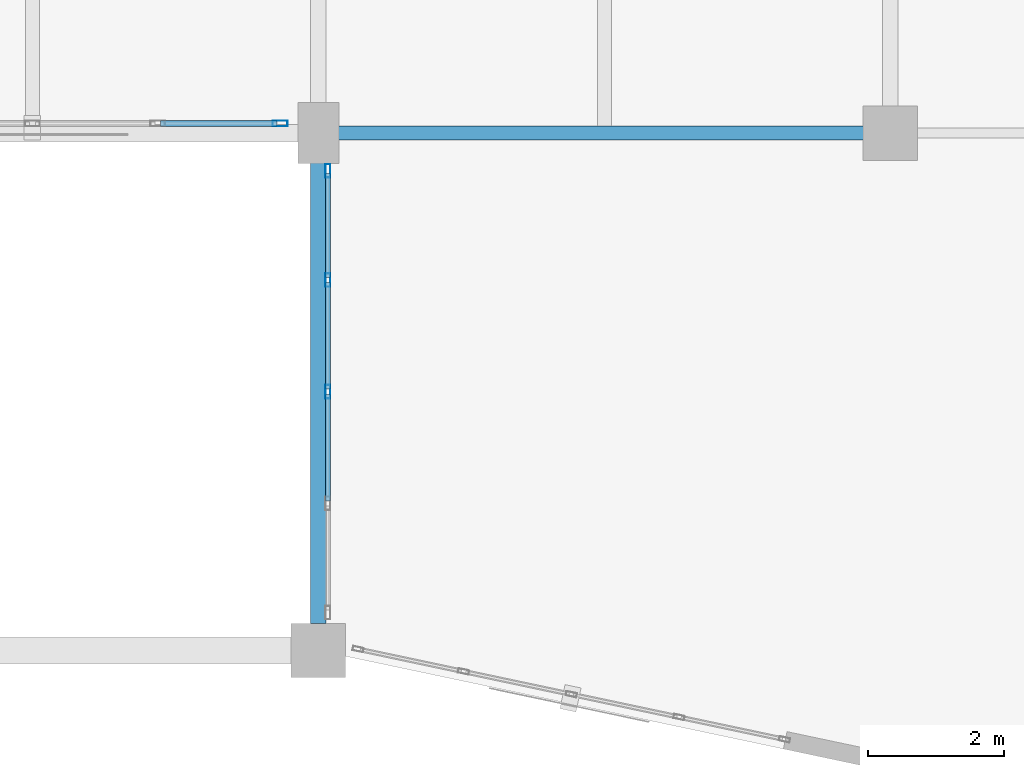
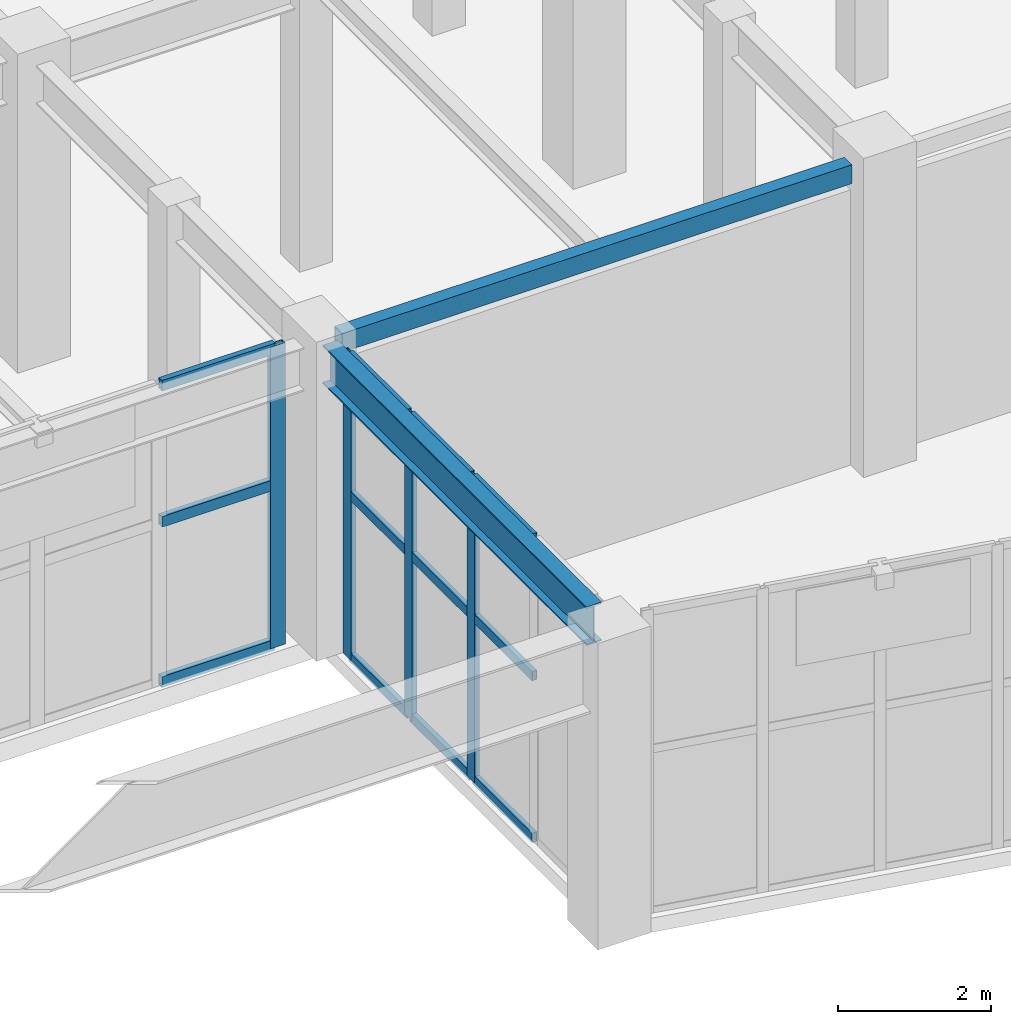
# One storey, part 14 of 128: 16 members, 2 beams, 2 elements without a shape of their own.
"""IFC4 building model written with IfcOpenShell, lengths in metres."""

from ifc_helpers import new_model, si_unit, direction, frame, origin, origin_2d, place, context, subcontext, project, spatial, hollow_rectangle, i_section, extrude, material, layer, layer_set, material_profile, profile_set, type_object, element, aggregate, save


model = new_model("IFC4")

# Units and contexts
model_context = context("Model", 3, precision=1e-05, world=origin(), true_north=direction((0.0, 1.0)))
body_context = subcontext(model_context, "Body", "Model", "MODEL_VIEW")
ifc_project = project(units=[si_unit("LENGTHUNIT", "METRE"), si_unit("AREAUNIT", "SQUARE_METRE"), si_unit("VOLUMEUNIT", "CUBIC_METRE"), si_unit("PLANEANGLEUNIT", "RADIAN"), si_unit("MASSUNIT", "GRAM", prefix="KILO")], contexts=[model_context])

# Site, building, storey
site_placement = place(None, origin())
site = spatial("IfcSite", under=ifc_project, at=site_placement, CompositionType="ELEMENT")
building_placement = place(site_placement, origin())
building = spatial("IfcBuilding", under=site, at=building_placement, Name="Xicomal Pleat Aquarium", CompositionType="ELEMENT")
storey_placement = place(building_placement, frame((0.0, 0.0, 5.39990234375)))
storey = spatial("IfcBuildingStorey", under=building, at=storey_placement, Name="L02", CompositionType="ELEMENT", Elevation=5.39990234375)

# Beams
ifc_material_1 = material(Name="Structural steel A992 Gr 50", Category="steel")
ifc_material_profile_1 = material_profile(ifc_material_1, i_section(OverallWidth=0.22998046875, OverallDepth=0.616943359375, WebThickness=0.01318359375, FlangeThickness=0.022216796875, at=origin_2d()), Name="IR 610x140")
ifc_profile_set_1 = profile_set([ifc_material_profile_1], Name="Structural steel A992 Gr 50")
beam_type_1 = type_object("IfcBeamType", Name="BM-STL-IR610", PredefinedType="BEAM", material=ifc_profile_set_1)
beam_1_placement = place(storey_placement, frame((52.199951171875, 23.195068359375, 4.591552734375), z_axis=(0.0, 1.0, 0.0), x_axis=(-1.0, 0.0, 0.0)))
element("IfcBeam", 1, at=beam_1_placement, inside=storey, type_object=beam_type_1, Name="L02 framing beam FGY-L02-07-D-E", PredefinedType="BEAM", context=body_context, shape_type="SweptSolid", body=[
    extrude(i_section(OverallWidth=0.22998046875, OverallDepth=0.616943359375, WebThickness=0.01318359375, FlangeThickness=0.022216796875, at=origin_2d()), origin(), (0.0, 0.0, 1.0), 6.909912109375),
])
ifc_material_2 = material(Name="Structural steel A500 Gr C", Category="steel")
ifc_material_profile_2 = material_profile(ifc_material_2, hollow_rectangle(XDim=0.199951171875, YDim=0.300048828125, WallThickness=0.011962890625, at=origin_2d()), Name="OR 300x200x12")
ifc_profile_set_2 = profile_set([ifc_material_profile_2], Name="Structural steel A500 Gr C")
beam_type_2 = type_object("IfcBeamType", Name="BM-STL-OR300", PredefinedType="SPANDREL", material=ifc_profile_set_2)
beam_2_placement = place(storey_placement, frame((52.4951171875, 30.39990234375, 4.670166015625), z_axis=(1.0, 0.0, 0.0), x_axis=(0.0, 1.0, 0.0)))
element("IfcBeam", 2, at=beam_2_placement, inside=storey, type_object=beam_type_2, Name="L02 framing beam FGX-L02-07-08-E", PredefinedType="SPANDREL", context=body_context, shape_type="SweptSolid", body=[
    extrude(hollow_rectangle(XDim=0.199951171875, YDim=0.300048828125, WallThickness=0.011962890625, at=origin_2d()), origin(), (0.0, 0.0, 1.0), 7.7099609375),
])

# Curtain wall, members
ifc_material_3 = material(Name="Bronze anodized aluminium 6063-T6", Category="aluminium")
ifc_layer_1 = layer(ifc_material_3, 0.159912109375)
ifc_layer_set_1 = layer_set([ifc_layer_1], Name="Bronze anodized aluminium 6063-T6")
curtain_wall_type_1 = type_object("IfcCurtainWallType", Name="CW-SYS-07", PredefinedType="NOTDEFINED", material=ifc_layer_set_1)
curtain_wall_1_placement = place(storey_placement, origin())
curtain_wall_1 = element("IfcCurtainWall", 3, at=curtain_wall_1_placement, inside=storey, type_object=curtain_wall_type_1, Name="L02 unitised curtain wall CW-L02-094", PredefinedType="NOTDEFINED")
ifc_material_4 = material(Name="Bronze anodized aluminium 6063-T6", Category="aluminium")
ifc_material_profile_3 = material_profile(ifc_material_4, hollow_rectangle(XDim=0.074951171875, YDim=0.199951171875, WallThickness=0.00439453125, at=origin_2d()), Name="ALU MULL 75x200")
ifc_profile_set_3 = profile_set([ifc_material_profile_3], Name="Bronze anodized aluminium 6063-T6")
member_type_1 = type_object("IfcMemberType", Name="CWM-75x200", PredefinedType="MULLION", material=ifc_profile_set_3)
member_1_placement = place(storey_placement, frame((52.340087890625, 26.60009765625, 0.0), z_axis=(0.0, 0.0, 1.0), x_axis=(-1.0, 0.0, 0.0)))
member_1 = element("IfcMember", 4, at=member_1_placement, type_object=member_type_1, Name="CW-07 mullion 3", PredefinedType="MULLION", context=body_context, shape_type="SweptSolid", body=[
    extrude(hollow_rectangle(XDim=0.074951171875, YDim=0.199951171875, WallThickness=0.00439453125, at=origin_2d()), origin(), (0.0, 0.0, 1.0), 4.860107421875),
])
member_2_placement = place(storey_placement, frame((52.340087890625, 28.239990234375, 0.0), z_axis=(0.0, 0.0, 1.0), x_axis=(-1.0, 0.0, 0.0)))
member_2 = element("IfcMember", 5, at=member_2_placement, type_object=member_type_1, Name="CW-07 mullion 4", PredefinedType="MULLION", context=body_context, shape_type="SweptSolid", body=[
    extrude(hollow_rectangle(XDim=0.074951171875, YDim=0.199951171875, WallThickness=0.00439453125, at=origin_2d()), origin(), (0.0, 0.0, 1.0), 4.860107421875),
])
member_3_placement = place(storey_placement, frame((52.340087890625, 29.842529296875, 0.0), z_axis=(0.0, 0.0, 1.0), x_axis=(-1.0, 0.0, 0.0)))
member_3 = element("IfcMember", 6, at=member_3_placement, type_object=member_type_1, Name="CW-07 mullion 5", PredefinedType="MULLION", context=body_context, shape_type="SweptSolid", body=[
    extrude(hollow_rectangle(XDim=0.074951171875, YDim=0.199951171875, WallThickness=0.00439453125, at=origin_2d()), origin(), (0.0, 0.0, 1.0), 4.860107421875),
])

# Curtain wall, member
ifc_material_5 = material(Name="Bronze anodized aluminium 6063-T6", Category="aluminium")
ifc_layer_2 = layer(ifc_material_5, 0.159912109375)
ifc_layer_set_2 = layer_set([ifc_layer_2], Name="Bronze anodized aluminium 6063-T6")
curtain_wall_type_2 = type_object("IfcCurtainWallType", Name="CW-SYS-12", PredefinedType="NOTDEFINED", material=ifc_layer_set_2)
curtain_wall_2_placement = place(storey_placement, origin())
curtain_wall_2 = element("IfcCurtainWall", 7, at=curtain_wall_2_placement, inside=storey, type_object=curtain_wall_type_2, Name="L02 unitised curtain wall CW-L02-095", PredefinedType="NOTDEFINED")
ifc_material_6 = material(Name="Bronze anodized aluminium 6063-T6", Category="aluminium")
ifc_material_profile_4 = material_profile(ifc_material_6, hollow_rectangle(XDim=0.0849609375, YDim=0.219970703125, WallThickness=0.0048828125, at=origin_2d()), Name="ALU MULL 85x220")
ifc_profile_set_4 = profile_set([ifc_material_profile_4], Name="Bronze anodized aluminium 6063-T6")
member_type_2 = type_object("IfcMemberType", Name="CWM-85x220", PredefinedType="MULLION", material=ifc_profile_set_4)
member_4_placement = place(storey_placement, frame((51.637451171875, 30.5400390625, 0.0), z_axis=(0.0, 0.0, 1.0), x_axis=(0.0, -1.0, 0.0)))
member_4 = element("IfcMember", 8, at=member_4_placement, type_object=member_type_2, Name="CW-12 mullion 1", PredefinedType="MULLION", context=body_context, shape_type="SweptSolid", body=[
    extrude(hollow_rectangle(XDim=0.0849609375, YDim=0.219970703125, WallThickness=0.0048828125, at=origin_2d()), origin(), (0.0, 0.0, 1.0), 4.820068359375),
])

# Member
ifc_material_7 = material(Name="Bronze anodized aluminium 6063-T6", Category="aluminium")
ifc_material_profile_5 = material_profile(ifc_material_7, hollow_rectangle(XDim=0.074951171875, YDim=0.14990234375, WallThickness=0.00439453125, at=origin_2d()), Name="ALU TRAN 75x150")
ifc_profile_set_5 = profile_set([ifc_material_profile_5], Name="Bronze anodized aluminium 6063-T6")
member_type_3 = type_object("IfcMemberType", Name="CWT-75x150", PredefinedType="USERDEFINED", material=ifc_profile_set_5)
member_5_placement = place(storey_placement, frame((52.340087890625, 24.99755859375, 0.03759765625), z_axis=(0.0, 1.0, 0.0), x_axis=(-1.0, 0.0, 0.0)))
member_5 = element("IfcMember", 9, at=member_5_placement, type_object=member_type_3, Name="CW-07 transom 2.1", ObjectType="TRANSOM", PredefinedType="USERDEFINED", context=body_context, shape_type="SweptSolid", body=[
    extrude(hollow_rectangle(XDim=0.074951171875, YDim=0.14990234375, WallThickness=0.00439453125, at=origin_2d()), origin(), (0.0, 0.0, 1.0), 1.56494140625),
])

member_6_placement = place(storey_placement, frame((52.340087890625, 24.99755859375, 2.6240234375), z_axis=(0.0, 1.0, 0.0), x_axis=(-1.0, 0.0, 0.0)))
member_6 = element("IfcMember", 10, at=member_6_placement, type_object=member_type_3, Name="CW-07 transom 2.2", ObjectType="TRANSOM", PredefinedType="USERDEFINED", context=body_context, shape_type="SweptSolid", body=[
    extrude(hollow_rectangle(XDim=0.074951171875, YDim=0.14990234375, WallThickness=0.00439453125, at=origin_2d()), origin(), (0.0, 0.0, 1.0), 1.56494140625),
])

member_7_placement = place(storey_placement, frame((52.340087890625, 24.99755859375, 4.822509765625), z_axis=(0.0, 1.0, 0.0), x_axis=(-1.0, 0.0, 0.0)))
member_7 = element("IfcMember", 11, at=member_7_placement, type_object=member_type_3, Name="CW-07 transom 2.3", ObjectType="TRANSOM", PredefinedType="USERDEFINED", context=body_context, shape_type="SweptSolid", body=[
    extrude(hollow_rectangle(XDim=0.074951171875, YDim=0.14990234375, WallThickness=0.00439453125, at=origin_2d()), origin(), (0.0, 0.0, 1.0), 1.56494140625),
])

member_8_placement = place(storey_placement, frame((52.340087890625, 26.637451171875, 0.03759765625), z_axis=(0.0, 1.0, 0.0), x_axis=(-1.0, 0.0, 0.0)))
member_8 = element("IfcMember", 12, at=member_8_placement, type_object=member_type_3, Name="CW-07 transom 3.1", ObjectType="TRANSOM", PredefinedType="USERDEFINED", context=body_context, shape_type="SweptSolid", body=[
    extrude(hollow_rectangle(XDim=0.074951171875, YDim=0.14990234375, WallThickness=0.00439453125, at=origin_2d()), origin(), (0.0, 0.0, 1.0), 1.56494140625),
])

member_9_placement = place(storey_placement, frame((52.340087890625, 26.637451171875, 2.6240234375), z_axis=(0.0, 1.0, 0.0), x_axis=(-1.0, 0.0, 0.0)))
member_9 = element("IfcMember", 13, at=member_9_placement, type_object=member_type_3, Name="CW-07 transom 3.2", ObjectType="TRANSOM", PredefinedType="USERDEFINED", context=body_context, shape_type="SweptSolid", body=[
    extrude(hollow_rectangle(XDim=0.074951171875, YDim=0.14990234375, WallThickness=0.00439453125, at=origin_2d()), origin(), (0.0, 0.0, 1.0), 1.56494140625),
])

member_10_placement = place(storey_placement, frame((52.340087890625, 26.637451171875, 4.822509765625), z_axis=(0.0, 1.0, 0.0), x_axis=(-1.0, 0.0, 0.0)))
member_10 = element("IfcMember", 14, at=member_10_placement, type_object=member_type_3, Name="CW-07 transom 3.3", ObjectType="TRANSOM", PredefinedType="USERDEFINED", context=body_context, shape_type="SweptSolid", body=[
    extrude(hollow_rectangle(XDim=0.074951171875, YDim=0.14990234375, WallThickness=0.00439453125, at=origin_2d()), origin(), (0.0, 0.0, 1.0), 1.56494140625),
])

member_11_placement = place(storey_placement, frame((52.340087890625, 28.277587890625, 0.03759765625), z_axis=(0.0, 1.0, 0.0), x_axis=(-1.0, 0.0, 0.0)))
member_11 = element("IfcMember", 15, at=member_11_placement, type_object=member_type_3, Name="CW-07 transom 4.1", ObjectType="TRANSOM", PredefinedType="USERDEFINED", context=body_context, shape_type="SweptSolid", body=[
    extrude(hollow_rectangle(XDim=0.074951171875, YDim=0.14990234375, WallThickness=0.00439453125, at=origin_2d()), origin(), (0.0, 0.0, 1.0), 1.52734375),
])

member_12_placement = place(storey_placement, frame((52.340087890625, 28.277587890625, 2.6240234375), z_axis=(0.0, 1.0, 0.0), x_axis=(-1.0, 0.0, 0.0)))
member_12 = element("IfcMember", 16, at=member_12_placement, type_object=member_type_3, Name="CW-07 transom 4.2", ObjectType="TRANSOM", PredefinedType="USERDEFINED", context=body_context, shape_type="SweptSolid", body=[
    extrude(hollow_rectangle(XDim=0.074951171875, YDim=0.14990234375, WallThickness=0.00439453125, at=origin_2d()), origin(), (0.0, 0.0, 1.0), 1.52734375),
])

member_13_placement = place(storey_placement, frame((52.340087890625, 28.277587890625, 4.822509765625), z_axis=(0.0, 1.0, 0.0), x_axis=(-1.0, 0.0, 0.0)))
member_13 = element("IfcMember", 17, at=member_13_placement, type_object=member_type_3, Name="CW-07 transom 4.3", ObjectType="TRANSOM", PredefinedType="USERDEFINED", context=body_context, shape_type="SweptSolid", body=[
    extrude(hollow_rectangle(XDim=0.074951171875, YDim=0.14990234375, WallThickness=0.00439453125, at=origin_2d()), origin(), (0.0, 0.0, 1.0), 1.52734375),
])

aggregate(curtain_wall_1, [member_1, member_2, member_3, member_5, member_6, member_7, member_8, member_9, member_10, member_11, member_12, member_13])

ifc_material_8 = material(Name="Bronze anodized aluminium 6063-T6", Category="aluminium")
ifc_material_profile_6 = material_profile(ifc_material_8, hollow_rectangle(XDim=0.0849609375, YDim=0.169921875, WallThickness=0.0048828125, at=origin_2d()), Name="ALU TRAN 85x170")
ifc_profile_set_6 = profile_set([ifc_material_profile_6], Name="Bronze anodized aluminium 6063-T6")
member_type_4 = type_object("IfcMemberType", Name="CWT-85x170", PredefinedType="USERDEFINED", material=ifc_profile_set_6)
member_14_placement = place(storey_placement, frame((51.594970703125, 30.5400390625, 0.04248046875), z_axis=(-1.0, 0.0, 0.0), x_axis=(0.0, -1.0, 0.0)))
member_14 = element("IfcMember", 18, at=member_14_placement, type_object=member_type_4, Name="CW-12 transom 1.1", ObjectType="TRANSOM", PredefinedType="USERDEFINED", context=body_context, shape_type="SweptSolid", body=[
    extrude(hollow_rectangle(XDim=0.0849609375, YDim=0.169921875, WallThickness=0.0048828125, at=origin_2d()), origin(), (0.0, 0.0, 1.0), 1.71240234375),
])

member_15_placement = place(storey_placement, frame((51.594970703125, 30.5400390625, 2.60302734375), z_axis=(-1.0, 0.0, 0.0), x_axis=(0.0, -1.0, 0.0)))
member_15 = element("IfcMember", 19, at=member_15_placement, type_object=member_type_4, Name="CW-12 transom 1.2", ObjectType="TRANSOM", PredefinedType="USERDEFINED", context=body_context, shape_type="SweptSolid", body=[
    extrude(hollow_rectangle(XDim=0.0849609375, YDim=0.169921875, WallThickness=0.0048828125, at=origin_2d()), origin(), (0.0, 0.0, 1.0), 1.71240234375),
])

member_16_placement = place(storey_placement, frame((51.594970703125, 30.5400390625, 4.777587890625), z_axis=(-1.0, 0.0, 0.0), x_axis=(0.0, -1.0, 0.0)))
member_16 = element("IfcMember", 20, at=member_16_placement, type_object=member_type_4, Name="CW-12 transom 1.3", ObjectType="TRANSOM", PredefinedType="USERDEFINED", context=body_context, shape_type="SweptSolid", body=[
    extrude(hollow_rectangle(XDim=0.0849609375, YDim=0.169921875, WallThickness=0.0048828125, at=origin_2d()), origin(), (0.0, 0.0, 1.0), 1.71240234375),
])

aggregate(curtain_wall_2, [member_4, member_14, member_15, member_16])

save(model, "model.ifc")
